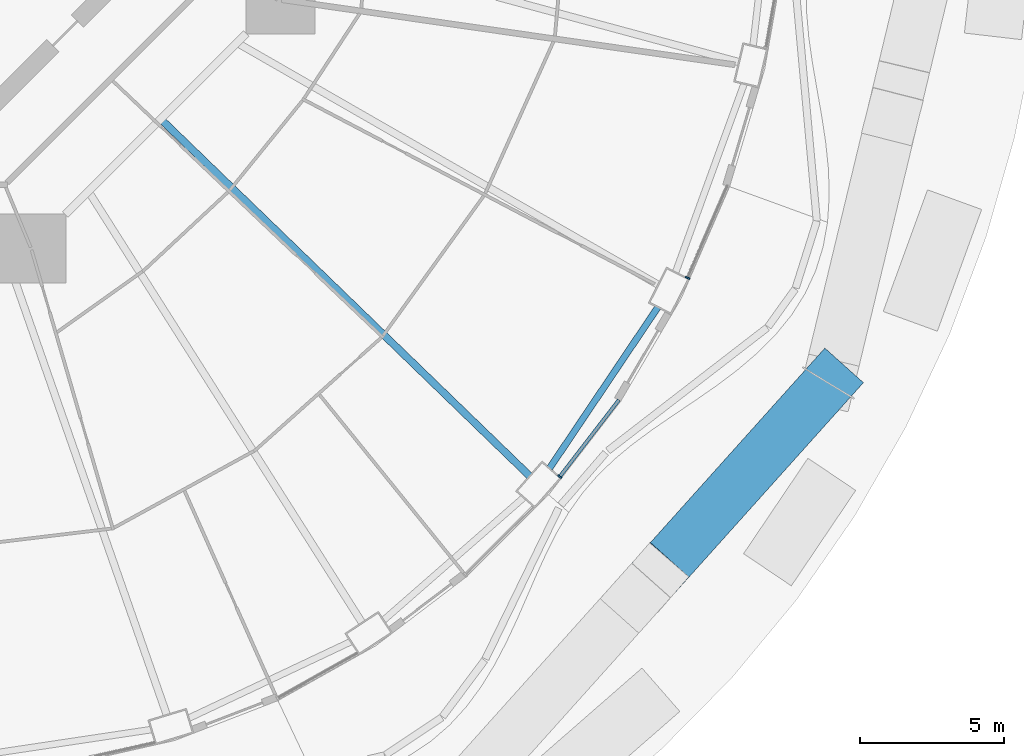
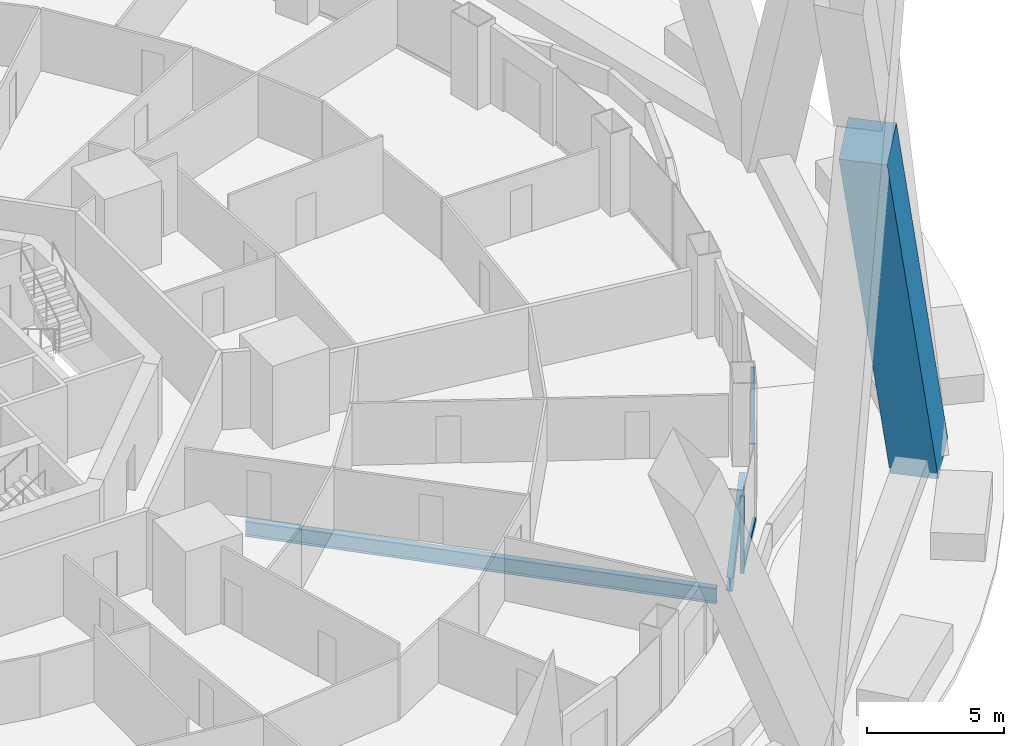
# One storey, part 14 of 42: 4 members, 2 beams, 2 elements without a shape of their own.
"""IFC4 building model written with IfcOpenShell, lengths in metres."""

from ifc_helpers import new_model, si_unit, direction, frame, origin, origin_2d, place, context, subcontext, project, spatial, rectangle, i_section, extrude, material, layer, layer_set, material_profile, profile_set, type_object, element, aggregate, save


model = new_model("IFC4")

# Units and contexts
model_context = context("Model", 3, precision=1e-05, world=origin(), true_north=direction((0.0, 1.0)))
body_context = subcontext(model_context, "Body", "Model", "MODEL_VIEW")
ifc_project = project(units=[si_unit("LENGTHUNIT", "METRE"), si_unit("AREAUNIT", "SQUARE_METRE"), si_unit("VOLUMEUNIT", "CUBIC_METRE"), si_unit("PLANEANGLEUNIT", "RADIAN"), si_unit("MASSUNIT", "GRAM", prefix="KILO")], contexts=[model_context])

# Site, building, storey
site_placement = place(None, origin())
site = spatial("IfcSite", under=ifc_project, at=site_placement, CompositionType="ELEMENT")
building_placement = place(site_placement, origin())
building = spatial("IfcBuilding", under=site, at=building_placement, Name="Nagisa Residences", CompositionType="ELEMENT")
storey_placement = place(building_placement, frame((0.0, 0.0, 27.0)))
storey = spatial("IfcBuildingStorey", under=building, at=storey_placement, Name="L05", CompositionType="ELEMENT", Elevation=27.0)

# Curtain wall, member
ifc_material_1 = material(Name="Concrete-coloured aluminium curtain wall system", Category="concrete")
ifc_layer = layer(ifc_material_1, 0.159912109375)
ifc_layer_set = layer_set([ifc_layer], Name="CW1 CURTAIN WALL")
curtain_wall_type = type_object("IfcCurtainWallType", Name="CW1 CURTAIN WALL", PredefinedType="NOTDEFINED", material=ifc_layer_set)
curtain_wall_1_placement = place(storey_placement, origin())
curtain_wall_1 = element("IfcCurtainWall", 1, at=curtain_wall_1_placement, inside=storey, type_object=curtain_wall_type, Name="cw:CW1:L05:42", PredefinedType="NOTDEFINED")
ifc_material_2 = material(Name="Concrete-coloured aluminium", Category="concrete")
ifc_material_profile_1 = material_profile(ifc_material_2, rectangle(XDim=0.159912109375, YDim=0.06005859375, at=origin_2d()), Name="CW1 MULLION 160x60")
ifc_profile_set_1 = profile_set([ifc_material_profile_1], Name="Concrete-coloured aluminium")
member_type_1 = type_object("IfcMemberType", Name="CW1 MULLION 160x60", PredefinedType="MULLION", material=ifc_profile_set_1)
member_1_placement = place(storey_placement, frame((24.48828125, -22.70751953125, 0.0), z_axis=(0.0, 0.0, 1.0), x_axis=(-0.792070340816, 0.610429828235, 0.0)))
member_1 = element("IfcMember", 2, at=member_1_placement, type_object=member_type_1, Name="CW1 mullion", PredefinedType="MULLION", context=body_context, shape_type="SweptSolid", body=[
    extrude(rectangle(XDim=0.159912109375, YDim=0.06005859375, at=origin_2d()), origin(), (0.0, 0.0, 1.0), 3.43994140625),
])

curtain_wall_2_placement = place(storey_placement, origin())
curtain_wall_2 = element("IfcCurtainWall", 3, at=curtain_wall_2_placement, inside=storey, type_object=curtain_wall_type, Name="cw:CW1:L05:44", PredefinedType="NOTDEFINED")
member_2_placement = place(storey_placement, frame((28.931640625, -15.79833984375, 0.0), z_axis=(0.0, 0.0, 1.0), x_axis=(-0.917543276295, 0.397635934147, 0.0)))
member_2 = element("IfcMember", 4, at=member_2_placement, type_object=member_type_1, Name="CW1 mullion", PredefinedType="MULLION", context=body_context, shape_type="SweptSolid", body=[
    extrude(rectangle(XDim=0.159912109375, YDim=0.06005859375, at=origin_2d()), origin(), (0.0, 0.0, 1.0), 3.43994140625),
])
aggregate(curtain_wall_2, [member_2])

# Member
ifc_material_3 = material(Name="Concrete-coloured aluminium", Category="concrete")
ifc_material_profile_2 = material_profile(ifc_material_3, rectangle(XDim=0.1201171875, YDim=0.14990234375, at=origin_2d()), Name="CW1 TRANSOM 120x150")
ifc_profile_set_2 = profile_set([ifc_material_profile_2], Name="Concrete-coloured aluminium")
member_type_2 = type_object("IfcMemberType", Name="CW1 TRANSOM 120x150", PredefinedType="USERDEFINED", material=ifc_profile_set_2)
member_3_placement = place(storey_placement, frame((24.469970703125, -22.731201171875, 0.074951171875), z_axis=(0.610457147657, 0.792049285635, 0.0), x_axis=(-0.792049285635, 0.610457147657, 0.0)))
member_3 = element("IfcMember", 5, at=member_3_placement, type_object=member_type_2, Name="CW1 transom", ObjectType="TRANSOM", PredefinedType="USERDEFINED", context=body_context, shape_type="SweptSolid", body=[
    extrude(rectangle(XDim=0.1201171875, YDim=0.14990234375, at=origin_2d()), origin(), (0.0, 0.0, 1.0), 3.3974609375),
])

aggregate(curtain_wall_1, [member_1, member_3])

ifc_material_4 = material(Name="Concrete C80", Category="concrete")
ifc_material_profile_3 = material_profile(ifc_material_4, rectangle(XDim=1.800048828125, YDim=1.800048828125, at=origin_2d()), Name="C80 1800x1800")
ifc_profile_set_3 = profile_set([ifc_material_profile_3], Name="Concrete C80")
member_type_3 = type_object("IfcMemberType", Name="Cage diagonal 1 C80 1800x1800", PredefinedType="BRACE", material=ifc_profile_set_3)
member_4_placement = place(storey_placement, frame((33.82421875, -19.449951171875, 0.0), z_axis=(-0.273554239164, -0.304902552619, 0.912251342362), x_axis=(0.744334814067, -0.667806622136, 0.0)))
element("IfcMember", 6, at=member_4_placement, inside=storey, type_object=member_type_3, Name="mem:L05:cg1d122a", PredefinedType="BRACE", context=body_context, shape_type="SweptSolid", body=[
    extrude(rectangle(XDim=1.800048828125, YDim=1.800048828125, at=origin_2d()), origin(), (0.0, 0.0, 1.0), 22.16455078125),
])

# Beams
ifc_material_5 = material(Name="Steel ASTM A572 Gr 50", Category="steel")
ifc_material_profile_4 = material_profile(ifc_material_5, i_section(OverallWidth=0.22802734375, OverallDepth=0.60302734375, WebThickness=0.010498046875, FlangeThickness=0.014892578125, at=origin_2d()), Name="W610x101")
ifc_profile_set_4 = profile_set([ifc_material_profile_4], Name="Steel ASTM A572 Gr 50")
beam_type_1 = type_object("IfcBeamType", Name="Perimeter ring beam W610x101", PredefinedType="BEAM", material=ifc_profile_set_4)
beam_1_placement = place(storey_placement, frame((24.135498046875, -22.411865234375, -0.5615234375), z_axis=(0.558271879663, 0.829658067144, 0.0), x_axis=(-0.829658067144, 0.558271879663, 0.0)))
element("IfcBeam", 7, at=beam_1_placement, inside=storey, type_object=beam_type_1, Name="beam:L05:pb22", PredefinedType="BEAM", context=body_context, shape_type="SweptSolid", body=[
    extrude(i_section(OverallWidth=0.22802734375, OverallDepth=0.60302734375, WebThickness=0.010498046875, FlangeThickness=0.014892578125, at=origin_2d()), origin(), (0.0, 0.0, 1.0), 6.74169921875),
])
ifc_material_6 = material(Name="Steel ASTM A572 Gr 50", Category="steel")
ifc_material_profile_5 = material_profile(ifc_material_6, i_section(OverallWidth=0.25390625, OverallDepth=0.68408203125, WebThickness=0.012451171875, FlangeThickness=0.018798828125, at=origin_2d()), Name="W690x140")
ifc_profile_set_5 = profile_set([ifc_material_profile_5], Name="Steel ASTM A572 Gr 50")
beam_type_2 = type_object("IfcBeamType", Name="Radial beam W690x140", PredefinedType="BEAM", material=ifc_profile_set_5)
beam_2_placement = place(storey_placement, frame((23.443115234375, -22.681640625, -0.60205078125), z_axis=(-0.718678305776, 0.695342716081, 0.0), x_axis=(-0.695342716081, -0.718678305776, 0.0)))
element("IfcBeam", 8, at=beam_2_placement, inside=storey, type_object=beam_type_2, Name="beam:L05:rb22", PredefinedType="BEAM", context=body_context, shape_type="SweptSolid", body=[
    extrude(i_section(OverallWidth=0.25390625, OverallDepth=0.68408203125, WebThickness=0.012451171875, FlangeThickness=0.018798828125, at=origin_2d()), origin(), (0.0, 0.0, 1.0), 17.722900390625),
])

save(model, "model.ifc")
